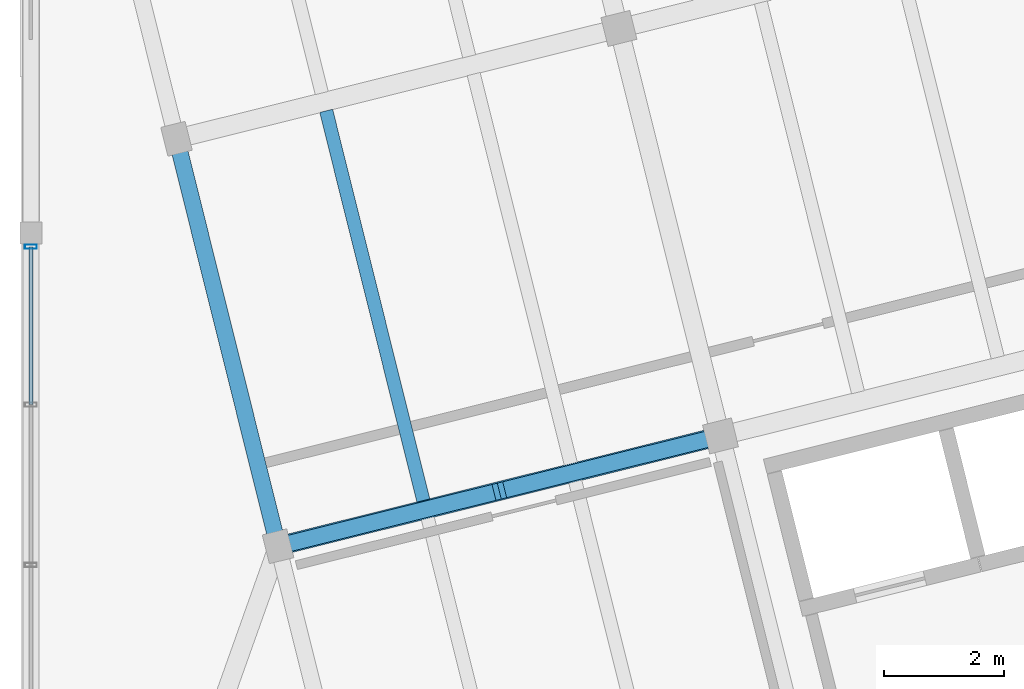
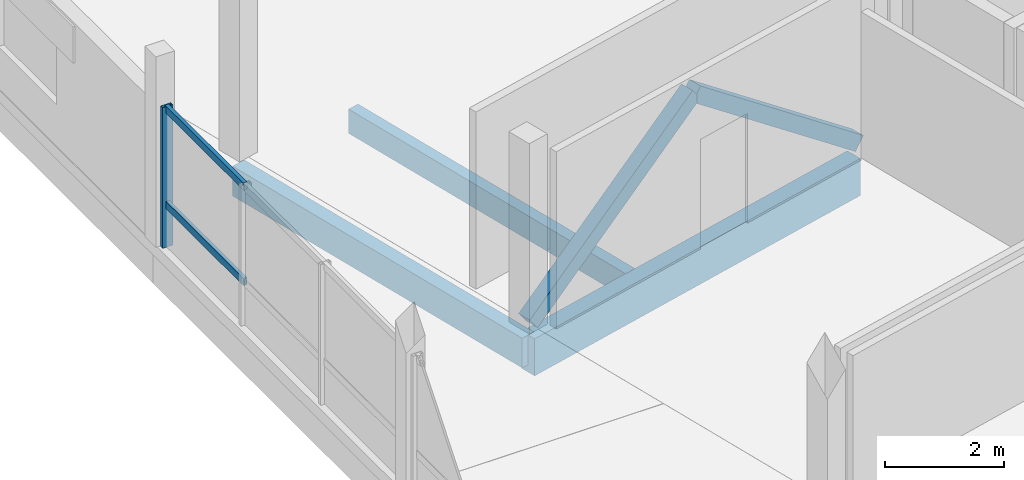
# One storey, part 15 of 39: 5 members, 3 beams, 1 element without a shape of its own.
"""IFC4 building model written with IfcOpenShell, lengths in metres."""

from ifc_helpers import new_model, si_unit, direction, frame, origin, origin_2d, place, context, subcontext, project, spatial, rectangle, hollow_rectangle, extrude, material, layer, layer_set, material_profile, profile_set, type_object, element, aggregate, save


model = new_model("IFC4")

# Units and contexts
model_context = context("Model", 3, precision=1e-05, world=origin(), true_north=direction((0.0, 1.0)))
body_context = subcontext(model_context, "Body", "Model", "MODEL_VIEW")
ifc_project = project(units=[si_unit("LENGTHUNIT", "METRE"), si_unit("AREAUNIT", "SQUARE_METRE"), si_unit("VOLUMEUNIT", "CUBIC_METRE"), si_unit("PLANEANGLEUNIT", "RADIAN"), si_unit("MASSUNIT", "GRAM", prefix="KILO")], contexts=[model_context])

# Site, building, storey
site_placement = place(None, origin())
site = spatial("IfcSite", under=ifc_project, at=site_placement, CompositionType="ELEMENT")
building_placement = place(site_placement, origin())
building = spatial("IfcBuilding", under=site, at=building_placement, Name="Meriwether Solvik Hall", CompositionType="ELEMENT")
storey_placement = place(building_placement, frame((0.0, 0.0, 22.199951171875)))
storey = spatial("IfcBuildingStorey", under=building, at=storey_placement, Name="L05", CompositionType="ELEMENT", Elevation=22.199951171875)

# Beams
ifc_material_1 = material(Name="Glulam Douglas-Fir 24F-V8 GL28h", Category="wood")
ifc_material_profile_1 = material_profile(ifc_material_1, rectangle(XDim=0.27294921875, YDim=0.610107421875, at=origin_2d()), Name="GLB-273X610")
ifc_profile_set_1 = profile_set([ifc_material_profile_1], Name="Glulam Douglas-Fir 24F-V8 GL28h")
beam_type_1 = type_object("IfcBeamType", Name="BM-GL-273X610", PredefinedType="SPANDREL", material=ifc_profile_set_1)
beam_1_placement = place(storey_placement, frame((63.51953125, 61.576171875, -0.550048828125), z_axis=(-0.241911879182, 0.970298223594, 0.0), x_axis=(-0.970298223594, -0.241911879182, 0.0)))
element("IfcBeam", 1, at=beam_1_placement, inside=storey, type_object=beam_type_1, Name="Tower Girder T1:TD-TE (L05)", PredefinedType="SPANDREL", context=body_context, shape_type="SweptSolid", body=[
    extrude(rectangle(XDim=0.27294921875, YDim=0.610107421875, at=origin_2d()), origin(), (0.0, 0.0, 1.0), 7.0),
])
ifc_material_2 = material(Name="Glulam Douglas-Fir 24F-V8 GL28h", Category="wood")
ifc_material_profile_2 = material_profile(ifc_material_2, rectangle(XDim=0.31494140625, YDim=0.760009765625, at=origin_2d()), Name="GLB-315X760")
ifc_profile_set_2 = profile_set([ifc_material_profile_2], Name="Glulam Douglas-Fir 24F-V8 GL28h")
beam_type_2 = type_object("IfcBeamType", Name="BM-GL-315X760", PredefinedType="BEAM", material=ifc_profile_set_2)
beam_2_placement = place(storey_placement, frame((63.51953125, 61.576171875, -0.625), z_axis=(0.970295366785, 0.241923337436, 0.0), x_axis=(-0.241923337436, 0.970295366785, 0.0)))
element("IfcBeam", 2, at=beam_2_placement, inside=storey, type_object=beam_type_2, Name="Tower Girder TD:T1-T2 (L05)", PredefinedType="BEAM", context=body_context, shape_type="SweptSolid", body=[
    extrude(rectangle(XDim=0.31494140625, YDim=0.760009765625, at=origin_2d()), origin(), (0.0, 0.0, 1.0), 7.60009765625),
])

# Curtain wall, members
ifc_material_3 = material(Name="Thermally Broken Anodised Aluminium 6063-T6 and Low-E Glass", Category="aluminium")
ifc_layer = layer(ifc_material_3, 0.179931640625)
ifc_layer_set = layer_set([ifc_layer], Name="Thermally Broken Anodised Aluminium 6063-T6 and Low-E Glass")
curtain_wall_type = type_object("IfcCurtainWallType", Name="CW-UNIT-E", PredefinedType="USERDEFINED", material=ifc_layer_set)
curtain_wall_placement = place(storey_placement, origin())
curtain_wall = element("IfcCurtainWall", 3, at=curtain_wall_placement, inside=storey, type_object=curtain_wall_type, Name="Curtain Wall wing_Y7_7_14 (L05)", ObjectType="UNITISED CURTAIN WALL", PredefinedType="USERDEFINED")
ifc_material_4 = material(Name="Anodised Aluminium 6063-T6", Category="aluminium")
ifc_material_profile_3 = material_profile(ifc_material_4, hollow_rectangle(XDim=0.070068359375, YDim=0.199951171875, WallThickness=0.0048828125, at=origin_2d()), Name="CWM-70X200")
ifc_profile_set_3 = profile_set([ifc_material_profile_3], Name="Anodised Aluminium 6063-T6")
member_type_1 = type_object("IfcMemberType", Name="CW-MUL-70X200", PredefinedType="MULLION", material=ifc_profile_set_3)
member_1_placement = place(storey_placement, frame((59.39990234375, 66.5673828125, 0.0), z_axis=(0.0, 0.0, 1.0), x_axis=(0.0, 1.0, 0.0)))
member_1 = element("IfcMember", 4, at=member_1_placement, type_object=member_type_1, Name="Curtain Wall Mullion 4", PredefinedType="MULLION", context=body_context, shape_type="SweptSolid", body=[
    extrude(hollow_rectangle(XDim=0.070068359375, YDim=0.199951171875, WallThickness=0.0048828125, at=origin_2d()), origin(), (0.0, 0.0, 1.0), 2.880126953125),
])
ifc_material_5 = material(Name="Anodised Aluminium 6063-T6", Category="aluminium")
ifc_material_profile_4 = material_profile(ifc_material_5, hollow_rectangle(XDim=0.070068359375, YDim=0.14990234375, WallThickness=0.0048828125, at=origin_2d()), Name="CWT-70X150")
ifc_profile_set_4 = profile_set([ifc_material_profile_4], Name="Anodised Aluminium 6063-T6")
member_type_2 = type_object("IfcMemberType", Name="CW-TRN-70X150", PredefinedType="USERDEFINED", material=ifc_profile_set_4)
member_2_placement = place(storey_placement, frame((59.39990234375, 63.93505859375, 0.864013671875), z_axis=(0.0, 1.0, 0.0), x_axis=(-1.0, 0.0, 0.0)))
member_2 = element("IfcMember", 5, at=member_2_placement, type_object=member_type_2, Name="Curtain Wall Transom 3-sill", ObjectType="TRANSOM", PredefinedType="USERDEFINED", context=body_context, shape_type="SweptSolid", body=[
    extrude(hollow_rectangle(XDim=0.070068359375, YDim=0.14990234375, WallThickness=0.0048828125, at=origin_2d()), origin(), (0.0, 0.0, 1.0), 2.63232421875),
])
member_3_placement = place(storey_placement, frame((59.39990234375, 63.93505859375, 2.820068359375), z_axis=(0.0, 1.0, 0.0), x_axis=(-1.0, 0.0, 0.0)))
member_3 = element("IfcMember", 6, at=member_3_placement, type_object=member_type_2, Name="Curtain Wall Transom 3-head", ObjectType="TRANSOM", PredefinedType="USERDEFINED", context=body_context, shape_type="SweptSolid", body=[
    extrude(hollow_rectangle(XDim=0.070068359375, YDim=0.14990234375, WallThickness=0.0048828125, at=origin_2d()), origin(), (0.0, 0.0, 1.0), 2.63232421875),
])
aggregate(curtain_wall, [member_1, member_2, member_3])

# Beam
ifc_material_6 = material(Name="Glulam Douglas-Fir 24F-V8 GL28h", Category="wood")
ifc_material_profile_5 = material_profile(ifc_material_6, rectangle(XDim=0.221923828125, YDim=0.4951171875, at=origin_2d()), Name="GLJ-222X495")
ifc_profile_set_5 = profile_set([ifc_material_profile_5], Name="Glulam Douglas-Fir 24F-V8 GL28h")
beam_type_3 = type_object("IfcBeamType", Name="JST-GL-222X495", PredefinedType="JOIST", material=ifc_profile_set_5)
beam_3_placement = place(storey_placement, frame((65.94091796875, 62.337158203125, -0.492431640625), z_axis=(-0.241952124656, 0.970288188825, 0.0), x_axis=(-0.970288188825, -0.241952124656, 0.0)))
element("IfcBeam", 7, at=beam_3_placement, inside=storey, type_object=beam_type_3, Name="Glulam Floor Joist T1/TD-J1 (L05)", PredefinedType="JOIST", context=body_context, shape_type="SweptSolid", body=[
    extrude(rectangle(XDim=0.221923828125, YDim=0.4951171875, at=origin_2d()), origin(), (0.0, 0.0, 1.0), 6.695068359375),
])

# Members
ifc_material_7 = material(Name="Glulam Douglas-Fir 24F-V8 GL28h", Category="wood")
ifc_material_profile_6 = material_profile(ifc_material_7, rectangle(XDim=0.27294921875, YDim=0.304931640625, at=origin_2d()), Name="GLM-273X305")
ifc_profile_set_6 = profile_set([ifc_material_profile_6], Name="Glulam Douglas-Fir 24F-V8 GL28h")
member_type_3 = type_object("IfcMemberType", Name="MEM-BR-GL273", PredefinedType="BRACE", material=ifc_profile_set_6)
member_4_placement = place(storey_placement, frame((63.51953125, 61.576171875, 0.050048828125), z_axis=(0.775252655488, 0.193312686259, 0.601343101307), x_axis=(-0.241946039438, 0.970289706222, 0.0)))
element("IfcMember", 8, at=member_4_placement, inside=storey, type_object=member_type_3, Name="Tower Chevron Brace L05-B2A", PredefinedType="BRACE", context=body_context, shape_type="SweptSolid", body=[
    extrude(rectangle(XDim=0.27294921875, YDim=0.304931640625, at=origin_2d()), origin(), (0.0, 0.0, 1.0), 4.756103515625),
])
member_5_placement = place(storey_placement, frame((70.893798828125, 63.414794921875, 0.050048828125), z_axis=(-0.775239866326, -0.193270963893, 0.601372999206), x_axis=(0.241900633533, -0.970301027257, 0.0)))
element("IfcMember", 9, at=member_5_placement, inside=storey, type_object=member_type_3, Name="Tower Chevron Brace L05-B2B", PredefinedType="BRACE", context=body_context, shape_type="SweptSolid", body=[
    extrude(rectangle(XDim=0.27294921875, YDim=0.304931640625, at=origin_2d()), origin(), (0.0, 0.0, 1.0), 4.755859375),
])

save(model, "model.ifc")
